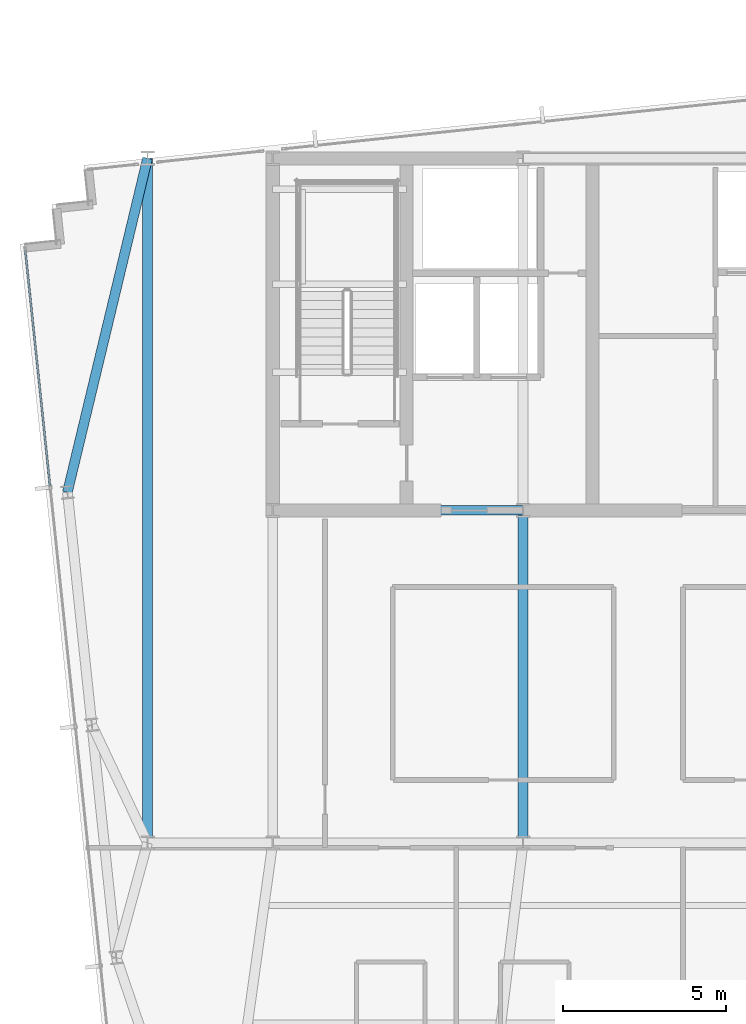
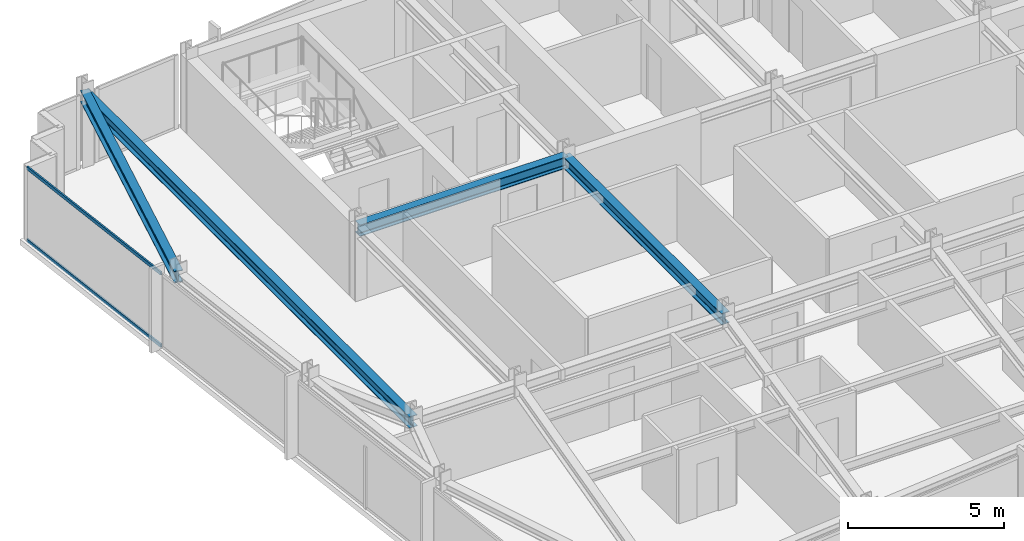
# One storey, part 11 of 33: 4 beams, 2 members, 1 element without a shape of its own.
"""IFC4 building model written with IfcOpenShell, lengths in metres."""

from ifc_helpers import new_model, si_unit, direction, frame, origin, origin_2d, place, context, subcontext, project, spatial, hollow_rectangle, i_section, extrude, material, material_profile, profile_set, type_object, element, aggregate, save


model = new_model("IFC4")

# Units and contexts
model_context = context("Model", 3, precision=1e-05, world=origin(), true_north=direction((0.0, 1.0)))
body_context = subcontext(model_context, "Body", "Model", "MODEL_VIEW")
ifc_project = project(units=[si_unit("LENGTHUNIT", "METRE"), si_unit("AREAUNIT", "SQUARE_METRE"), si_unit("VOLUMEUNIT", "CUBIC_METRE"), si_unit("PLANEANGLEUNIT", "RADIAN"), si_unit("MASSUNIT", "GRAM", prefix="KILO")], contexts=[model_context])

# Site, building, storey
site_placement = place(None, origin())
site = spatial("IfcSite", under=ifc_project, at=site_placement, CompositionType="ELEMENT")
building_placement = place(site_placement, origin())
building = spatial("IfcBuilding", under=site, at=building_placement, Name="Yelkora Congress Tower", CompositionType="ELEMENT")
storey_placement = place(building_placement, frame((0.0, 0.0, 244.10009765625)))
storey = spatial("IfcBuildingStorey", under=building, at=storey_placement, Name="L68", CompositionType="ELEMENT", Elevation=244.10009765625)

# Beams
ifc_material_1 = material(Name="Steel S355J2", Category="steel")
ifc_material_profile_1 = material_profile(ifc_material_1, i_section(OverallWidth=0.300048828125, OverallDepth=0.449951171875, WebThickness=0.013916015625, FlangeThickness=0.02587890625, FilletRadius=0.027099609375, at=origin_2d()), Name="HEB 450")
ifc_profile_set_1 = profile_set([ifc_material_profile_1], Name="Steel S355J2")
beam_type = type_object("IfcBeamType", Name="BM-GIRD-HEB450", PredefinedType="BEAM", material=ifc_profile_set_1)
beam_1_placement = place(storey_placement, frame((23.0400390625, 35.39990234375, 2.65478515625), z_axis=(1.0, 0.0, 0.0), x_axis=(0.0, 1.0, 0.0)))
element("IfcBeam", 1, at=beam_1_placement, inside=storey, type_object=beam_type, Name="L68 Core South Girder 1", PredefinedType="BEAM", context=body_context, shape_type="SweptSolid", body=[
    extrude(i_section(OverallWidth=0.300048828125, OverallDepth=0.449951171875, WebThickness=0.013916015625, FlangeThickness=0.02587890625, FilletRadius=0.027099609375, at=origin_2d()), origin(), (0.0, 0.0, 1.0), 7.679931640625),
])
beam_2_placement = place(storey_placement, frame((30.719970703125, 25.199951171875, 2.65478515625), z_axis=(0.0, 1.0, 0.0), x_axis=(-1.0, 0.0, 0.0)))
element("IfcBeam", 2, at=beam_2_placement, inside=storey, type_object=beam_type, Name="L68 Core Tie Girder MC-D2", PredefinedType="BEAM", context=body_context, shape_type="SweptSolid", body=[
    extrude(i_section(OverallWidth=0.300048828125, OverallDepth=0.449951171875, WebThickness=0.013916015625, FlangeThickness=0.02587890625, FilletRadius=0.027099609375, at=origin_2d()), origin(), (0.0, 0.0, 1.0), 10.199951171875),
])
beam_3_placement = place(storey_placement, frame((19.199951171875, 25.199951171875, 2.65478515625), z_axis=(0.0, 1.0, 0.0), x_axis=(-1.0, 0.0, 0.0)))
element("IfcBeam", 3, at=beam_3_placement, inside=storey, type_object=beam_type, Name="L68 Neck Flank Girder MC-F1", PredefinedType="BEAM", context=body_context, shape_type="SweptSolid", body=[
    extrude(i_section(OverallWidth=0.300048828125, OverallDepth=0.449951171875, WebThickness=0.013916015625, FlangeThickness=0.02587890625, FilletRadius=0.027099609375, at=origin_2d()), origin(), (0.0, 0.0, 1.0), 21.0),
])
beam_4_placement = place(storey_placement, frame((16.7412109375, 35.95458984375, 2.65478515625), z_axis=(0.233359806768, 0.972390456856, 0.0), x_axis=(-0.972390456856, 0.233359806768, 0.0)))
element("IfcBeam", 4, at=beam_4_placement, inside=storey, type_object=beam_type, Name="L68 Primary Frame Girder W03", PredefinedType="BEAM", context=body_context, shape_type="SweptSolid", body=[
    extrude(i_section(OverallWidth=0.300048828125, OverallDepth=0.449951171875, WebThickness=0.013916015625, FlangeThickness=0.02587890625, FilletRadius=0.027099609375, at=origin_2d()), origin(), (0.0, 0.0, 1.0), 10.536376953125),
])

# Curtain wall, members
ifc_material_2 = material(Name="Anodised aluminium and insulated glass", Category="aluminium")
curtain_wall_type = type_object("IfcCurtainWallType", Name="CW-SYS-B4", PredefinedType="NOTDEFINED", material=ifc_material_2)
curtain_wall_placement = place(storey_placement, origin())
curtain_wall = element("IfcCurtainWall", 5, at=curtain_wall_placement, inside=storey, type_object=curtain_wall_type, Name="L68 Unitised Curtain Wall 5", PredefinedType="NOTDEFINED")
ifc_material_3 = material(Name="Anodised aluminium 6063-T6", Category="aluminium")
ifc_material_profile_2 = material_profile(ifc_material_3, hollow_rectangle(XDim=0.06005859375, YDim=0.1298828125, WallThickness=0.00390625, at=origin_2d()), Name="ALU 60x130x4")
ifc_profile_set_2 = profile_set([ifc_material_profile_2], Name="Anodised aluminium 6063-T6")
member_type = type_object("IfcMemberType", Name="MEM-TR-B4", PredefinedType="USERDEFINED", material=ifc_profile_set_2)
member_1_placement = place(storey_placement, frame((16.208984375, 36.137451171875, 0.02978515625), z_axis=(-0.104494567873, 0.994525457334, 0.0), x_axis=(-0.994525457334, -0.104494567873, 0.0)))
member_1 = element("IfcMember", 6, at=member_1_placement, type_object=member_type, Name="CW-B4 transom 4.1", ObjectType="TRANSOM", PredefinedType="USERDEFINED", context=body_context, shape_type="SweptSolid", body=[
    extrude(hollow_rectangle(XDim=0.06005859375, YDim=0.1298828125, WallThickness=0.00390625, at=origin_2d()), origin(), (0.0, 0.0, 1.0), 7.282470703125),
])
member_2_placement = place(storey_placement, frame((16.208984375, 36.137451171875, 2.849853515625), z_axis=(-0.104494567873, 0.994525457334, 0.0), x_axis=(-0.994525457334, -0.104494567873, 0.0)))
member_2 = element("IfcMember", 7, at=member_2_placement, type_object=member_type, Name="CW-B4 transom 4.2", ObjectType="TRANSOM", PredefinedType="USERDEFINED", context=body_context, shape_type="SweptSolid", body=[
    extrude(hollow_rectangle(XDim=0.06005859375, YDim=0.1298828125, WallThickness=0.00390625, at=origin_2d()), origin(), (0.0, 0.0, 1.0), 7.282470703125),
])
aggregate(curtain_wall, [member_1, member_2])

save(model, "model.ifc")
